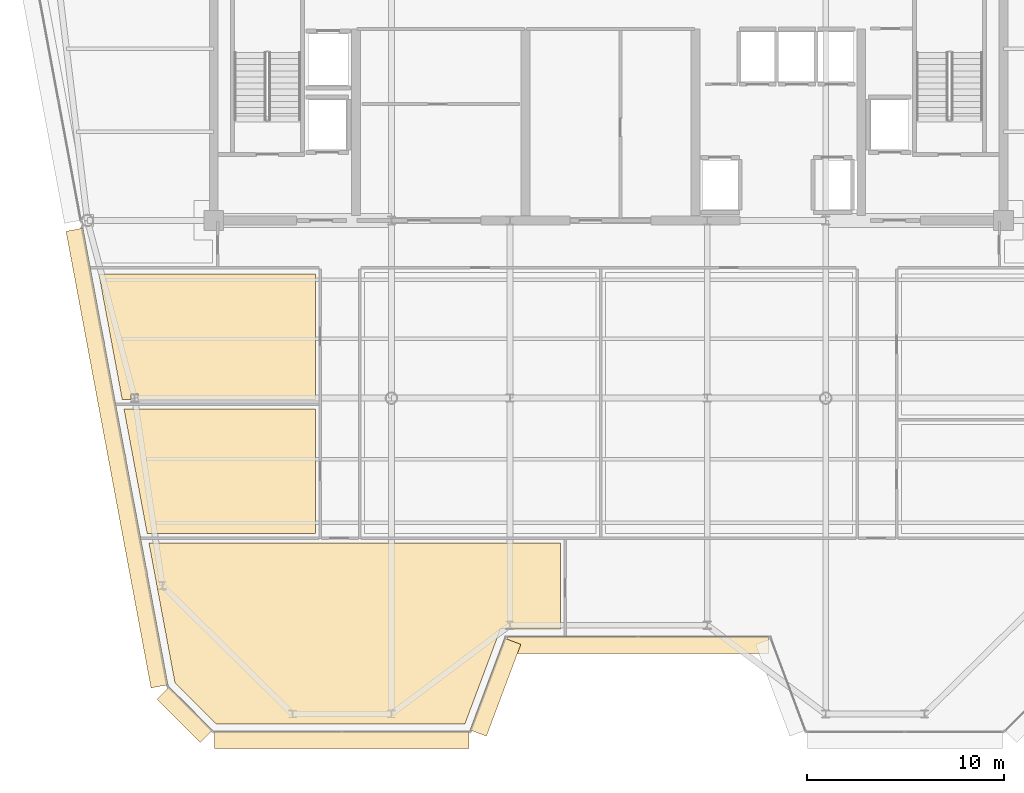
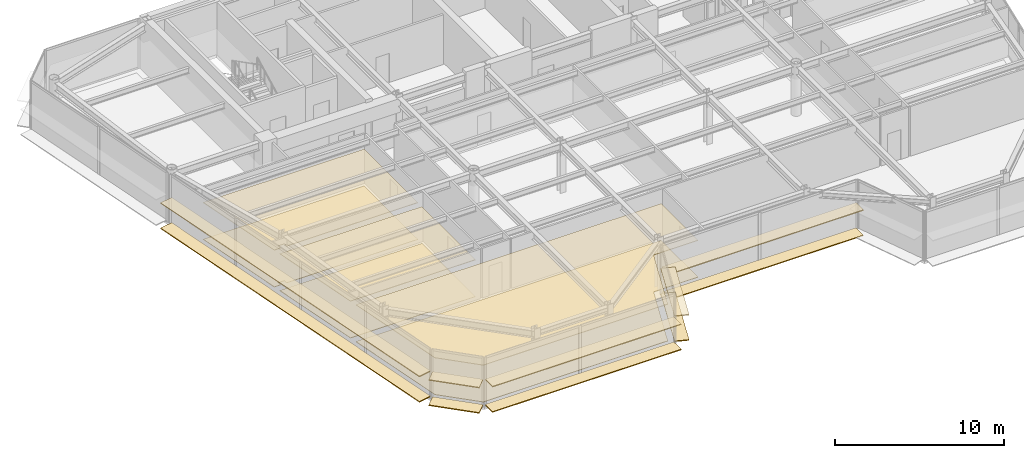
# One storey, part 13 of 19: 16 coverings.
"""IFC4 building model written with IfcOpenShell, lengths in metres."""

from ifc_helpers import new_model, si_unit, direction, frame, origin, origin_2d, place, context, subcontext, project, spatial, polyline, rectangle, outline, extrude, source, transform, mapped, material, layer, layer_set, type_object, element, save


model = new_model("IFC4")

# Units and contexts
model_context = context("Model", 3, precision=1e-05, world=origin(), true_north=direction((0.0, 1.0)))
body_context = subcontext(model_context, "Body", "Model", "MODEL_VIEW")
ifc_project = project(units=[si_unit("LENGTHUNIT", "METRE"), si_unit("AREAUNIT", "SQUARE_METRE"), si_unit("VOLUMEUNIT", "CUBIC_METRE"), si_unit("PLANEANGLEUNIT", "RADIAN"), si_unit("MASSUNIT", "GRAM", prefix="KILO")], contexts=[model_context])

# Site, building, storey
site_placement = place(None, origin())
site = spatial("IfcSite", under=ifc_project, at=site_placement, CompositionType="ELEMENT")
building_placement = place(site_placement, origin())
building = spatial("IfcBuilding", under=site, at=building_placement, Name="Vaeldorn Concourse Tower", CompositionType="ELEMENT")
storey_placement = place(building_placement, frame((0.0, 0.0, 249.800048828125)))
storey = spatial("IfcBuildingStorey", under=building, at=storey_placement, Name="L64", CompositionType="ELEMENT", Elevation=249.800048828125)

# Coverings
ifc_material_1 = material(Name="Acoustic Mineral Fibre Board", Category="gypsum")
ifc_layer_1 = layer(ifc_material_1, 0.0400390625)
ifc_layer_set_1 = layer_set([ifc_layer_1], Name="Acoustic Mineral Fibre Board")
covering_type_1 = type_object("IfcCoveringType", Name="COV-CEIL-ACOUSTIC", PredefinedType="CEILING", material=ifc_layer_set_1)
covering_1_placement = place(storey_placement, frame((0.0, 0.0, 2.64990234375)))
element("IfcCovering", 1, at=covering_1_placement, inside=storey, type_object=covering_type_1, Name="Suspended Acoustic Ceiling L64-6", PredefinedType="CEILING", context=body_context, shape_type="SweptSolid", body=[
    extrude(outline(polyline([(19.159912109375, 26.9599609375), (19.159912109375, 20.639892578125), (10.631591796875, 20.639892578125), (9.454833984375, 26.9599609375), (19.159912109375, 26.9599609375)])), origin(), (0.0, 0.0, 1.0), 0.0400390625),
])
covering_2_placement = place(storey_placement, frame((0.0, 0.0, 2.64990234375)))
element("IfcCovering", 2, at=covering_2_placement, inside=storey, type_object=covering_type_1, Name="Suspended Acoustic Ceiling L64-7", PredefinedType="CEILING", context=body_context, shape_type="SweptSolid", body=[
    extrude(outline(polyline([(19.159912109375, 33.800048828125), (19.159912109375, 27.43994140625), (10.200439453125, 27.43994140625), (10.200439453125, 27.699462890625), (9.799560546875, 27.699462890625), (9.799560546875, 27.43994140625), (9.365478515625, 27.43994140625), (8.181396484375, 33.800048828125), (19.159912109375, 33.800048828125)])), origin(), (0.0, 0.0, 1.0), 0.0400390625),
])
covering_3_placement = place(storey_placement, frame((0.0, 0.0, 2.64990234375)))
element("IfcCovering", 3, at=covering_3_placement, inside=storey, type_object=covering_type_1, Name="Suspended Acoustic Ceiling L64-12", PredefinedType="CEILING", context=body_context, shape_type="SweptSolid", body=[
    extrude(outline(polyline([(31.56005859375, 20.159912109375), (31.56005859375, 15.800048828125), (28.522705078125, 15.800048828125), (26.722900390625, 11.0), (14.131591796875, 11.0), (12.03662109375, 13.09521484375), (11.24609375, 17.340087890625), (11.24609375, 17.340087890625), (10.720947265625, 20.159912109375), (31.56005859375, 20.159912109375)])), origin(), (0.0, 0.0, 1.0), 0.0400390625),
])
ifc_material_2 = material(Name="Honed Limestone Terrazzo Flooring", Category="masonry")
ifc_layer_2 = layer(ifc_material_2, 0.0400390625)
ifc_layer_set_2 = layer_set([ifc_layer_2], Name="Honed Limestone Terrazzo Flooring")
covering_type_2 = type_object("IfcCoveringType", Name="COV-FLOOR-STONE", PredefinedType="FLOORING", material=ifc_layer_set_2)
covering_4_placement = place(storey_placement, origin())
element("IfcCovering", 4, at=covering_4_placement, inside=storey, type_object=covering_type_2, Name="Floor Finish Covering L64-6", PredefinedType="FLOORING", context=body_context, shape_type="SweptSolid", body=[
    extrude(outline(polyline([(19.159912109375, 26.9599609375), (19.159912109375, 20.639892578125), (10.631591796875, 20.639892578125), (9.454833984375, 26.9599609375), (19.159912109375, 26.9599609375)])), origin(), (0.0, 0.0, 1.0), 0.030029296875),
])
covering_5_placement = place(storey_placement, origin())
element("IfcCovering", 5, at=covering_5_placement, inside=storey, type_object=covering_type_2, Name="Floor Finish Covering L64-7", PredefinedType="FLOORING", context=body_context, shape_type="SweptSolid", body=[
    extrude(outline(polyline([(19.159912109375, 33.800048828125), (19.159912109375, 27.43994140625), (10.200439453125, 27.43994140625), (10.200439453125, 27.699462890625), (9.799560546875, 27.699462890625), (9.799560546875, 27.43994140625), (9.365478515625, 27.43994140625), (8.181396484375, 33.800048828125), (19.159912109375, 33.800048828125)])), origin(), (0.0, 0.0, 1.0), 0.030029296875),
])
covering_6_placement = place(storey_placement, origin())
element("IfcCovering", 6, at=covering_6_placement, inside=storey, type_object=covering_type_2, Name="Floor Finish Covering L64-12", PredefinedType="FLOORING", context=body_context, shape_type="SweptSolid", body=[
    extrude(outline(polyline([(31.56005859375, 20.159912109375), (31.56005859375, 15.800048828125), (28.522705078125, 15.800048828125), (26.722900390625, 11.0), (14.131591796875, 11.0), (12.03662109375, 13.09521484375), (11.24609375, 17.340087890625), (11.24609375, 17.340087890625), (10.720947265625, 20.159912109375), (31.56005859375, 20.159912109375)])), origin(), (0.0, 0.0, 1.0), 0.030029296875),
])
ifc_material_3 = material(Name="Anodised Bronze Aluminium", Category="aluminium")
ifc_layer_3 = layer(ifc_material_3, 0.06494140625)
ifc_layer_set_3 = layer_set([ifc_layer_3], Name="Anodised Bronze Aluminium")
covering_type_3 = type_object("IfcCoveringType", Name="SD-BRONZE-SUNSHADE", PredefinedType="USERDEFINED", material=ifc_layer_set_3)
shared_shape_1 = source(origin(), body_context, "Body", "SweptSolid", [
    extrude(rectangle(XDim=4.96630859375, YDim=0.8798828125, at=origin_2d()), origin(), (0.0, 0.0, 1.0), 0.06494140625),
])
for number, where, z_axis, x_axis, name in (
    (7, (28.2744140625, 12.859619140625, 0.04736328125), (0.0, 0.0, 1.0), (0.351122702609, 0.936329454686, 0.0), "Horizontal Bronze Sunshade L64-E02.1.1"),
    (8, (28.2744140625, 12.859619140625, 1.867431640625), (0.0, 0.0, 1.0), (0.351122702609, 0.936329454686, 0.0), "Horizontal Bronze Sunshade L64-E02.1.2"),
):
    element("IfcCovering", number, at=place(storey_placement, frame(where, z_axis=z_axis, x_axis=x_axis)), inside=storey, type_object=covering_type_3, Name=name, ObjectType="SUNSHADE", PredefinedType="USERDEFINED", context=body_context, shape_type="MappedRepresentation", body=[
        mapped(shared_shape_1, transform((0.0, 0.0, 0.0), scale=1.0)),
    ])
shared_shape_2 = source(origin(), body_context, "Body", "SweptSolid", [
    extrude(rectangle(XDim=13.239990234375, YDim=0.8798828125, at=origin_2d()), origin(), (0.0, 0.0, 1.0), 0.06494140625),
])
for number, where, z_axis, x_axis, name in (
    (9, (35.5, 15.0, 0.04736328125), (0.0, 0.0, 1.0), (1.0, 0.0, 0.0), "Horizontal Bronze Sunshade L64-E03.1.1"),
    (10, (35.5, 15.0, 1.867431640625), (0.0, 0.0, 1.0), (1.0, 0.0, 0.0), "Horizontal Bronze Sunshade L64-E03.1.2"),
):
    element("IfcCovering", number, at=place(storey_placement, frame(where, z_axis=z_axis, x_axis=x_axis)), inside=storey, type_object=covering_type_3, Name=name, ObjectType="SUNSHADE", PredefinedType="USERDEFINED", context=body_context, shape_type="MappedRepresentation", body=[
        mapped(shared_shape_2, transform((0.0, 0.0, 0.0), scale=1.0)),
    ])
shared_shape_3 = source(origin(), body_context, "Body", "SweptSolid", [
    extrude(rectangle(XDim=3.0927734375, YDim=0.8798828125, at=origin_2d()), origin(), (0.0, 0.0, 1.0), 0.06494140625),
])
for number, where, z_axis, x_axis, name in (
    (11, (12.533203125, 11.46728515625, 0.04736328125), (0.0, 0.0, 1.0), (0.707106781187, -0.707106781187, 0.0), "Horizontal Bronze Sunshade L64-E12.1.1"),
    (12, (12.533203125, 11.46728515625, 1.867431640625), (0.0, 0.0, 1.0), (0.707106781187, -0.707106781187, 0.0), "Horizontal Bronze Sunshade L64-E12.1.2"),
):
    element("IfcCovering", number, at=place(storey_placement, frame(where, z_axis=z_axis, x_axis=x_axis)), inside=storey, type_object=covering_type_3, Name=name, ObjectType="SUNSHADE", PredefinedType="USERDEFINED", context=body_context, shape_type="MappedRepresentation", body=[
        mapped(shared_shape_3, transform((0.0, 0.0, 0.0), scale=1.0)),
    ])
shared_shape_4 = source(origin(), body_context, "Body", "SweptSolid", [
    extrude(rectangle(XDim=23.525146484375, YDim=0.8798828125, at=origin_2d()), origin(), (0.0, 0.0, 1.0), 0.06494140625),
])
for number, where, z_axis, x_axis, name in (
    (13, (9.10498046875, 24.46923828125, 0.04736328125), (0.0, 0.0, 1.0), (0.183059191151, -0.983101893262, 0.0), "Horizontal Bronze Sunshade L64-E11.2.1"),
    (14, (9.10498046875, 24.46923828125, 1.867431640625), (0.0, 0.0, 1.0), (0.183059191151, -0.983101893262, 0.0), "Horizontal Bronze Sunshade L64-E11.2.2"),
):
    element("IfcCovering", number, at=place(storey_placement, frame(where, z_axis=z_axis, x_axis=x_axis)), inside=storey, type_object=covering_type_3, Name=name, ObjectType="SUNSHADE", PredefinedType="USERDEFINED", context=body_context, shape_type="MappedRepresentation", body=[
        mapped(shared_shape_4, transform((0.0, 0.0, 0.0), scale=1.0)),
    ])
shared_shape_5 = source(origin(), body_context, "Body", "SweptSolid", [
    extrude(rectangle(XDim=12.8740234375, YDim=0.8798828125, at=origin_2d()), origin(), (0.0, 0.0, 1.0), 0.06494140625),
])
for number, where, z_axis, x_axis, name in (
    (15, (20.48291015625, 10.199951171875, 0.04736328125), (0.0, 0.0, 1.0), (1.0, 0.0, 0.0), "Horizontal Bronze Sunshade L64-E01.1.1"),
    (16, (20.48291015625, 10.199951171875, 1.867431640625), (0.0, 0.0, 1.0), (1.0, 0.0, 0.0), "Horizontal Bronze Sunshade L64-E01.1.2"),
):
    element("IfcCovering", number, at=place(storey_placement, frame(where, z_axis=z_axis, x_axis=x_axis)), inside=storey, type_object=covering_type_3, Name=name, ObjectType="SUNSHADE", PredefinedType="USERDEFINED", context=body_context, shape_type="MappedRepresentation", body=[
        mapped(shared_shape_5, transform((0.0, 0.0, 0.0), scale=1.0)),
    ])

save(model, "model.ifc")
